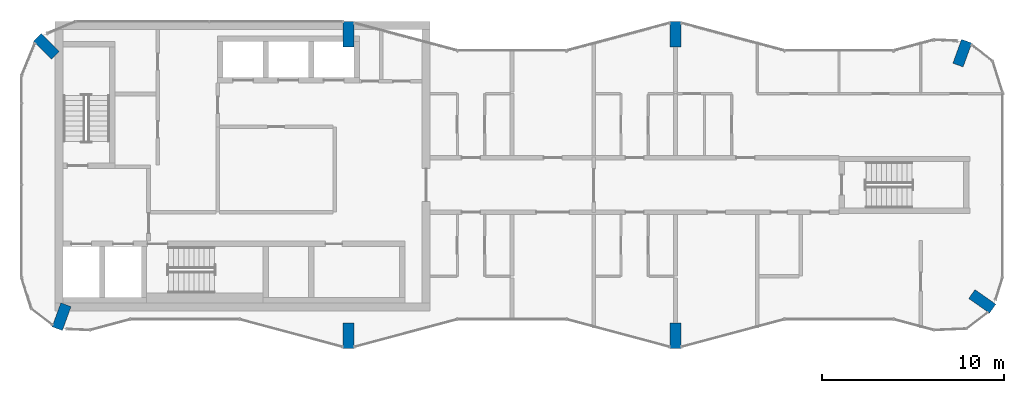
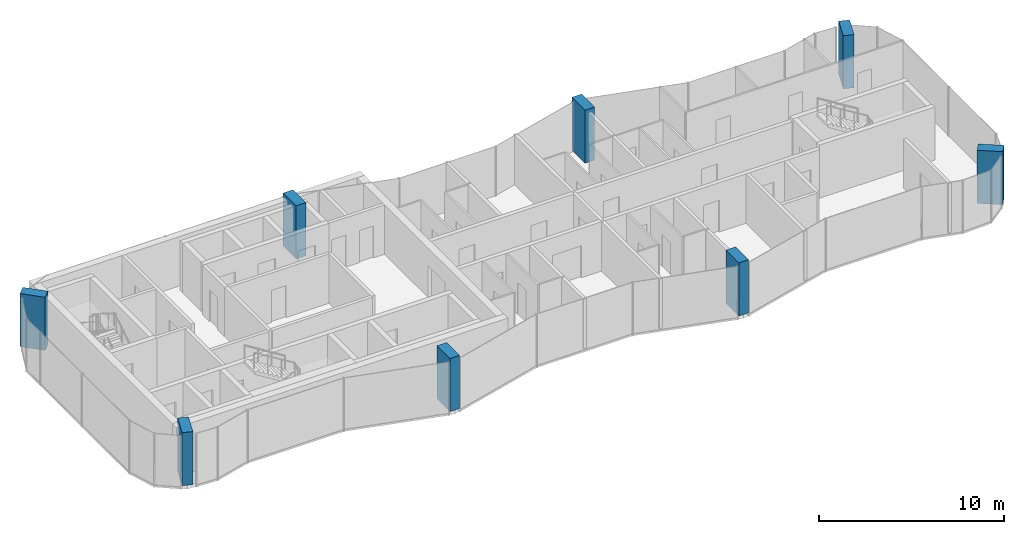
# One storey, part 1 of 10: 8 columns.
"""IFC4 building model written with IfcOpenShell, lengths in metres."""

from ifc_helpers import new_model, si_unit, direction, frame, origin, origin_2d, place, context, subcontext, project, spatial, rectangle, extrude, material, material_profile, profile_set, type_object, element, save


model = new_model("IFC4")

# Units and contexts
model_context = context("Model", 3, precision=1e-05, world=origin(), true_north=direction((0.0, 1.0)))
body_context = subcontext(model_context, "Body", "Model", "MODEL_VIEW")
ifc_project = project(units=[si_unit("LENGTHUNIT", "METRE"), si_unit("AREAUNIT", "SQUARE_METRE"), si_unit("VOLUMEUNIT", "CUBIC_METRE"), si_unit("PLANEANGLEUNIT", "RADIAN"), si_unit("MASSUNIT", "GRAM", prefix="KILO")], contexts=[model_context])

# Site, building, storey
site_placement = place(None, origin())
site = spatial("IfcSite", under=ifc_project, at=site_placement, CompositionType="ELEMENT")
building_placement = place(site_placement, origin())
building = spatial("IfcBuilding", under=site, at=building_placement, Name="Plateau Cross Towers", CompositionType="ELEMENT")
storey_placement = place(building_placement, frame((0.0, 0.0, 256.39990234375)))
storey = spatial("IfcBuildingStorey", under=building, at=storey_placement, Name="L67", CompositionType="ELEMENT", Elevation=256.39990234375)

# Columns
ifc_material = material(Name="Concrete C60/75", Category="concrete")
ifc_material_profile = material_profile(ifc_material, rectangle(XDim=0.60009765625, YDim=1.39990234375, at=origin_2d()), Name="RC 600x1400")
ifc_profile_set = profile_set([ifc_material_profile], Name="Concrete C60/75")
column_type = type_object("IfcColumnType", Name="Fin pier column RC 600x1400", PredefinedType="COLUMN", material=ifc_profile_set)
for number, where, z_axis, x_axis, name in (
    (1, (18.0, 0.699951171875, 0.0), (0.0, 0.0, 1.0), (1.0, 0.0, 0.0), "PR1 L67"),
    (2, (36.0, 0.699951171875, 0.0), (0.0, 0.0, 1.0), (1.0, 0.0, 0.0), "PR2 L67"),
    (3, (52.884033203125, 2.590087890625, 0.0), (0.0, 0.0, 1.0), (0.573542637991, 0.819175709117, 0.0), "PR3 L67"),
    (4, (51.786865234375, 16.251953125, 0.0), (0.0, 0.0, 1.0), (-0.939664280925, 0.342097996418, 0.0), "PR4 L67"),
    (5, (36.0, 17.300048828125, 0.0), (0.0, 0.0, 1.0), (1.0, 0.0, 0.0), "PR5 L67"),
    (6, (18.0, 17.300048828125, 0.0), (0.0, 0.0, 1.0), (1.0, 0.0, 0.0), "PR13 L67"),
    (7, (1.37353515625, 16.62646484375, 0.0), (0.0, 0.0, 1.0), (0.707106781187, 0.707106781187, 0.0), "PR14 L67"),
    (8, (2.213134765625, 1.748046875, 0.0), (0.0, 0.0, 1.0), (-0.939664280925, 0.342097996418, 0.0), "PR12 L67"),
):
    element("IfcColumn", number, at=place(storey_placement, frame(where, z_axis=z_axis, x_axis=x_axis)), inside=storey, type_object=column_type, Name=name, PredefinedType="COLUMN", context=body_context, shape_type="SweptSolid", body=[
        extrude(rectangle(XDim=0.60009765625, YDim=1.39990234375, at=origin_2d()), origin(), (0.0, 0.0, 1.0), 3.5),
    ])

save(model, "model.ifc")
